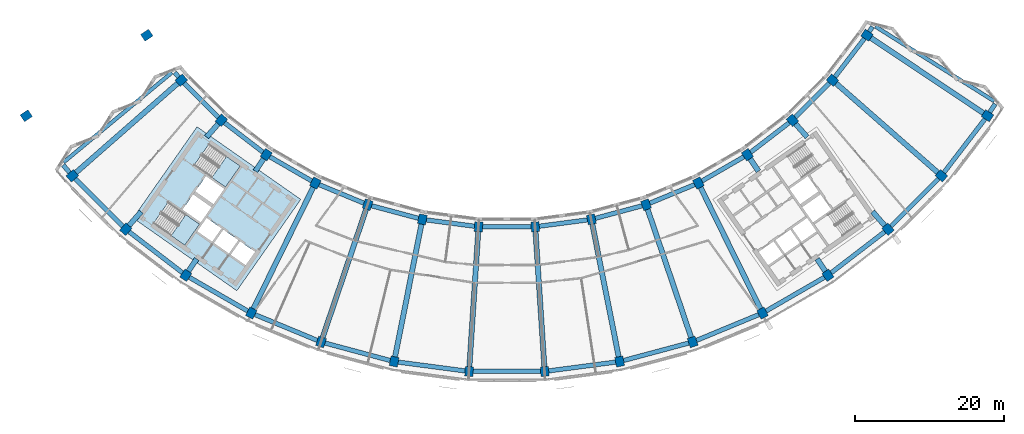
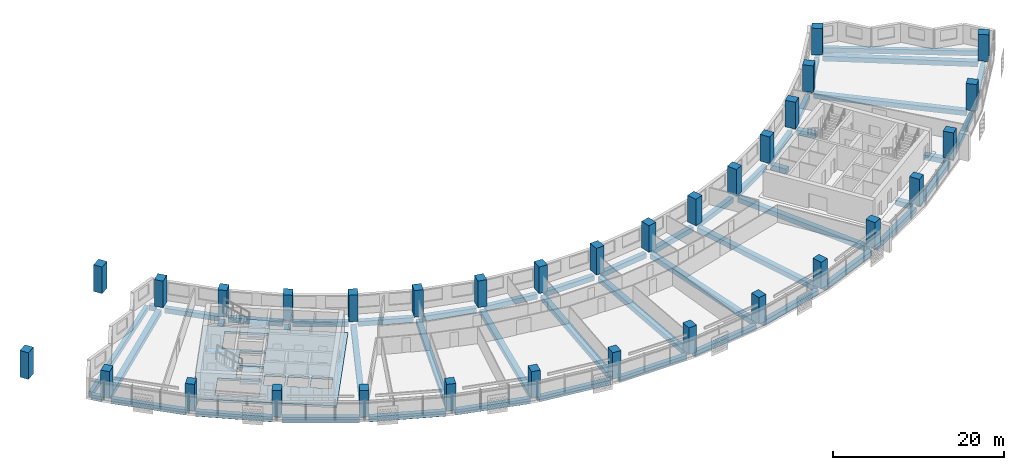
# One storey, part 1 of 26: 53 beams, 32 columns, 3 slabs, 2 elements without a shape of their own.
"""IFC4 building model written with IfcOpenShell, lengths in metres."""

import ifcopenshell
import ifcopenshell.guid

model = None  # the IFC model being written
_history = None  # IfcOwnerHistory: only IFC2X3 demands one
_inside = {}  # id of a spatial element -> (the spatial element, [elements in it])
_under = {}  # id of a project, library or spatial element -> (it, [spatial elements below it])
_declared = {}  # id of a project -> (the project, [libraries it declares])
_typed = {}  # id of a type object -> (the type object, [elements of that type])
_made_of = {}  # id of a material, layer set ... -> (it, [elements and type objects made of it])


def new_model(schema):
    """Start an empty IFC model of exactly this schema.

    Asked for "IFC4X3", IfcOpenShell would pick the latest addendum, in which some entities
    have other attributes; the version numbers below select the first issue.
    IFC2X3 requires an IfcOwnerHistory on every rooted entity: one is made here for all.
    """
    global model, _history
    if schema == "IFC4X3":
        model = ifcopenshell.file(schema_version=(4, 3, 0, 0))
    else:
        model = ifcopenshell.file(schema=schema)
    _inside.clear()
    _under.clear()
    _declared.clear()
    _typed.clear()
    _made_of.clear()
    _history = None
    if model.schema == "IFC2X3":
        org = make("IfcOrganization", Name="unknown")
        user = make(
            "IfcPersonAndOrganization",
            ThePerson=make("IfcPerson", FamilyName="unknown"),
            TheOrganization=org,
        )
        app = make(
            "IfcApplication",
            ApplicationDeveloper=org,
            Version="unknown",
            ApplicationFullName="unknown",
            ApplicationIdentifier="unknown",
        )
        _history = make(
            "IfcOwnerHistory",
            OwningUser=user,
            OwningApplication=app,
            ChangeAction="ADDED",
            CreationDate=0,
        )
    return model


def make(cls, **values):
    """One entity of the class cls with the attributes given. An attribute that is None is left unset."""
    return model.create_entity(
        cls, **{name: value for name, value in values.items() if value is not None}
    )


def rooted(cls, **values):
    """An entity with a GlobalId (a new one), such as an element, a storey or a relation."""
    return make(cls, GlobalId=ifcopenshell.guid.new(), OwnerHistory=_history, **values)


def si_unit(unit_type, name, prefix=None):
    """IfcSIUnit, for example si_unit("LENGTHUNIT", "METRE", prefix="MILLI")."""
    return make("IfcSIUnit", UnitType=unit_type, Prefix=prefix, Name=name)


def assignment(units):
    """IfcUnitAssignment: the units of a project."""
    return None if units is None else make("IfcUnitAssignment", Units=units)


def point(xyz):
    """IfcCartesianPoint."""
    return None if xyz is None else make("IfcCartesianPoint", Coordinates=xyz)


def direction(xyz):
    """IfcDirection."""
    return None if xyz is None else make("IfcDirection", DirectionRatios=xyz)


def frame(location, z_axis=None, x_axis=None):
    """IfcAxis2Placement3D, a coordinate frame: its origin and axes. An axis left out is left unset."""
    return make(
        "IfcAxis2Placement3D",
        Location=point(location),
        Axis=direction(z_axis),
        RefDirection=direction(x_axis),
    )


def frame_2d(location, x_axis=None):
    """IfcAxis2Placement2D, a coordinate frame in the plane: its origin and x axis."""
    return make(
        "IfcAxis2Placement2D", Location=point(location), RefDirection=direction(x_axis)
    )


def origin():
    """The frame at (0, 0, 0) with its axes left unset."""
    return frame((0.0, 0.0, 0.0))


def origin_2d():
    """The frame at (0, 0) in the plane with its x axis left unset."""
    return frame_2d((0.0, 0.0))


def place(relative_to, where):
    """IfcLocalPlacement: puts the frame where relative to a parent placement (None: the world)."""
    return make(
        "IfcLocalPlacement", PlacementRelTo=relative_to, RelativePlacement=where
    )


def context(
    kind, dimensions, precision=None, world=None, true_north=None, identifier=None
):
    """IfcGeometricRepresentationContext, for example the 3D "Model" context."""
    return make(
        "IfcGeometricRepresentationContext",
        ContextIdentifier=identifier,
        ContextType=kind,
        CoordinateSpaceDimension=dimensions,
        Precision=precision,
        WorldCoordinateSystem=world,
        TrueNorth=true_north,
    )


def subcontext(parent, identifier, kind, view, scale=None):
    """IfcGeometricRepresentationSubContext, for example "Body" below "Model"."""
    return make(
        "IfcGeometricRepresentationSubContext",
        ContextIdentifier=identifier,
        ContextType=kind,
        ParentContext=parent,
        TargetScale=scale,
        TargetView=view,
    )


def project(units=None, contexts=None):
    """IfcProject with its units and contexts."""
    return rooted(
        "IfcProject",
        Name="project",
        RepresentationContexts=contexts,
        UnitsInContext=assignment(units),
    )


def spatial(cls, under=None, at=None, **own):
    """A site, building, storey or space (cls), placed at a placement, below another one or the project."""
    s = rooted(cls, ObjectPlacement=at, **own)
    if under is not None:
        _under.setdefault(under.id(), (under, []))[1].append(s)
    return s


def polyline(points):
    """IfcPolyline through the points."""
    return make("IfcPolyline", Points=[point(p) for p in points])


def profile(cls, at=None, kind="AREA", **sizes):
    """A parametric profile (cls). Its sizes go by their IFC names, for example OverallWidth=200.0."""
    return make(cls, ProfileType=kind, Position=at, **sizes)


def rectangle(**sizes):
    """IfcRectangleProfileDef."""
    return profile("IfcRectangleProfileDef", **sizes)


def outline(outer, holes=None, kind="AREA"):
    """IfcArbitraryClosedProfileDef: a profile drawn as a closed curve; with holes, ...WithVoids."""
    if holes is None:
        return make("IfcArbitraryClosedProfileDef", ProfileType=kind, OuterCurve=outer)
    return make(
        "IfcArbitraryProfileDefWithVoids",
        ProfileType=kind,
        OuterCurve=outer,
        InnerCurves=holes,
    )


def extrude(swept, where, along, depth):
    """IfcExtrudedAreaSolid: the profile swept, set in the frame where, extruded along a direction by depth."""
    return make(
        "IfcExtrudedAreaSolid",
        SweptArea=swept,
        Position=where,
        ExtrudedDirection=direction(along),
        Depth=depth,
    )


def shape(context_of_items, identifier, shape_type, items):
    """IfcShapeRepresentation: the items that make up one representation, for example the "Body"."""
    return make(
        "IfcShapeRepresentation",
        ContextOfItems=context_of_items,
        RepresentationIdentifier=identifier,
        RepresentationType=shape_type,
        Items=items,
    )


def material(Name=None, Category=None):
    """IfcMaterial."""
    return make("IfcMaterial", Name=Name, Category=Category)


def layer(
    of_material, thickness, ventilated=None, Name=None, Category=None, Priority=None
):
    """IfcMaterialLayer: one layer of a wall or slab, of a material (None: an air gap)."""
    return make(
        "IfcMaterialLayer",
        Material=of_material,
        LayerThickness=thickness,
        IsVentilated=ventilated,
        Name=Name,
        Category=Category,
        Priority=Priority,
    )


def layer_set(layers, Name=None):
    """IfcMaterialLayerSet."""
    return make("IfcMaterialLayerSet", MaterialLayers=layers, LayerSetName=Name)


def material_profile(
    of_material, cross_section, Name=None, Category=None, Priority=None
):
    """IfcMaterialProfile: a cross section and its material."""
    return make(
        "IfcMaterialProfile",
        Name=Name,
        Material=of_material,
        Profile=cross_section,
        Priority=Priority,
        Category=Category,
    )


def profile_set(profiles, Name=None, composite=None):
    """IfcMaterialProfileSet."""
    return make(
        "IfcMaterialProfileSet",
        Name=Name,
        MaterialProfiles=profiles,
        CompositeProfile=composite,
    )


def made_of(thing, what):
    """Note that an element or type object is made of a material, layer set ...; save() writes the relation."""
    if what is not None:
        _made_of.setdefault(what.id(), (what, []))[1].append(thing)
    return thing


def type_object(cls, material=None, **own):
    """A type object (cls), such as IfcWallType, which elements share."""
    return made_of(rooted(cls, **own), material)


def element(
    cls,
    number,
    at=None,
    inside=None,
    cuts=None,
    type_object=None,
    material=None,
    context=None,
    identifier="Body",
    shape_type=None,
    held_by="IfcProductDefinitionShape",
    body=None,
    shapes=None,
    **own,
):
    """One element of the class cls, such as IfcWall. Its Tag is "e" and its number.

    at: its placement. inside: the storey or other place that contains it. cuts: it is an
    opening in that element (IfcRelVoidsElement). A single representation is given by context,
    identifier, shape_type and body (its items); several are given by shapes. held_by: the class
    of the entity that holds the representations. save() writes the other relations.
    """
    e = rooted(cls, Tag="e%d" % number, ObjectPlacement=at, **own)
    if body is not None:
        shapes = [shape(context, identifier, shape_type, body)]
    if shapes is not None:
        e.Representation = make(held_by, Representations=shapes)
    if inside is not None:
        _inside.setdefault(inside.id(), (inside, []))[1].append(e)
    if cuts is not None:
        rooted(
            "IfcRelVoidsElement", RelatingBuildingElement=cuts, RelatedOpeningElement=e
        )
    if type_object is not None:
        _typed.setdefault(type_object.id(), (type_object, []))[1].append(e)
    return made_of(e, material)


def aggregate(whole, parts):
    """IfcRelAggregates: a whole, such as a stair, and the parts it consists of."""
    return rooted("IfcRelAggregates", RelatingObject=whole, RelatedObjects=parts)


def save(model, path):
    """Write the relations noted so far, then the file.

    IfcRelAggregates (storeys below a building ...), IfcRelContainedInSpatialStructure (elements
    in a storey), IfcRelDefinesByType, IfcRelAssociatesMaterial and IfcRelDeclares: one each for
    every whole, place, type object, material and project.
    """
    for whole, parts in _under.values():
        aggregate(whole, parts)
    for where, things in _inside.values():
        rooted(
            "IfcRelContainedInSpatialStructure",
            RelatedElements=things,
            RelatingStructure=where,
        )
    for kind, things in _typed.values():
        rooted("IfcRelDefinesByType", RelatedObjects=things, RelatingType=kind)
    for what, things in _made_of.values():
        rooted("IfcRelAssociatesMaterial", RelatedObjects=things, RelatingMaterial=what)
    for by, libraries in _declared.values():
        rooted("IfcRelDeclares", RelatingContext=by, RelatedDefinitions=libraries)
    model.write(path)


model = new_model("IFC4")

# Units and contexts
model_context = context("Model", 3, precision=1e-05, world=origin(), true_north=direction((0.0, 1.0)))
body_context = subcontext(model_context, "Body", "Model", "MODEL_VIEW")
ifc_project = project(units=[si_unit("LENGTHUNIT", "METRE"), si_unit("AREAUNIT", "SQUARE_METRE"), si_unit("VOLUMEUNIT", "CUBIC_METRE"), si_unit("PLANEANGLEUNIT", "RADIAN"), si_unit("MASSUNIT", "GRAM", prefix="KILO")], contexts=[model_context])

# Site, building, storey
site_placement = place(None, origin())
site = spatial("IfcSite", under=ifc_project, at=site_placement, CompositionType="ELEMENT")
building_placement = place(site_placement, origin())
building = spatial("IfcBuilding", under=site, at=building_placement, Name="Qamariyya Broadcast Tower", CompositionType="ELEMENT")
storey_placement = place(building_placement, frame((0.0, 0.0, 160.699951171875)))
storey = spatial("IfcBuildingStorey", under=building, at=storey_placement, Name="L37", CompositionType="ELEMENT", Elevation=160.699951171875)

# Columns
ifc_material_1 = material(Name="Concrete C60/75", Category="concrete")
ifc_material_profile_1 = material_profile(ifc_material_1, rectangle(XDim=1.10009765625, YDim=1.300048828125, at=origin_2d()))
ifc_profile_set_1 = profile_set([ifc_material_profile_1], Name="Concrete C60/75")
column_type = type_object("IfcColumnType", Name="RC column 1100 x 1300 C60/75", PredefinedType="COLUMN", material=ifc_profile_set_1)
for number, where, z_axis, x_axis, name in (
    (1, (-43.794677734375, -38.406982421875, 0.0), (0.0, 0.0, 1.0), (0.6593458151, -0.751839807479, 0.0), "Column C8 L37 B-R04"),
    (2, (-58.45556640625, -51.26416015625, 0.0), (0.0, 0.0, 1.0), (0.6593458151, -0.751839807479, 0.0), "Column C8 L37 C-R04"),
    (3, (-38.406982421875, -43.794677734375, 0.0), (0.0, 0.0, 1.0), (0.751839807479, -0.6593458151, 0.0), "Column C8 L37 B-R05"),
    (4, (-51.26416015625, -58.45556640625, 0.0), (0.0, 0.0, 1.0), (0.751839807479, -0.6593458151, 0.0), "Column C8 L37 C-R05"),
    (5, (-32.362060546875, -48.43310546875, 0.0), (0.0, 0.0, 1.0), (0.831469612303, -0.55557023302, 0.0), "Column C8 L37 B-R06"),
    (6, (-43.195556640625, -64.646728515625, 0.0), (0.0, 0.0, 1.0), (0.831469612303, -0.55557023302, 0.0), "Column C8 L37 C-R06"),
    (7, (-25.763427734375, -52.242919921875, 0.0), (0.0, 0.0, 1.0), (0.896872741533, -0.442288690219, 0.0), "Column C8 L37 B-R07"),
    (8, (-34.387939453125, -69.73193359375, 0.0), (0.0, 0.0, 1.0), (0.896872741533, -0.442288690219, 0.0), "Column C8 L37 C-R07"),
    (9, (-18.723876953125, -55.15869140625, 0.0), (0.0, 0.0, 1.0), (0.946930129495, -0.321439465303, 0.0), "Column C8 L37 B-R08"),
    (10, (-24.991943359375, -73.623779296875, 0.0), (0.0, 0.0, 1.0), (0.946930129495, -0.321439465303, 0.0), "Column C8 L37 C-R08"),
    (11, (-11.364013671875, -57.130859375, 0.0), (0.0, 0.0, 1.0), (0.980785280403, -0.195090322016, 0.0), "Column C8 L37 B-R09"),
    (12, (-15.168212890625, -76.256103515625, 0.0), (0.0, 0.0, 1.0), (0.980785280403, -0.195090322016, 0.0), "Column C8 L37 C-R09"),
    (13, (-3.809814453125, -58.125244140625, 0.0), (0.0, 0.0, 1.0), (0.997858923239, -0.06540312923, 0.0), "Column C8 L37 B-R10"),
    (14, (-5.085205078125, -77.58349609375, 0.0), (0.0, 0.0, 1.0), (0.997858923239, -0.06540312923, 0.0), "Column C8 L37 C-R10"),
    (15, (3.809814453125, -58.125244140625, 0.0), (0.0, 0.0, 1.0), (0.997858923239, 0.06540312923, 0.0), "Column C8 L37 B-R11"),
    (16, (5.085205078125, -77.58349609375, 0.0), (0.0, 0.0, 1.0), (0.997858923239, 0.06540312923, 0.0), "Column C8 L37 C-R11"),
    (17, (11.364013671875, -57.130859375, 0.0), (0.0, 0.0, 1.0), (0.980785280403, 0.195090322016, 0.0), "Column C8 L37 B-R12"),
    (18, (15.168212890625, -76.256103515625, 0.0), (0.0, 0.0, 1.0), (0.980785280403, 0.195090322016, 0.0), "Column C8 L37 C-R12"),
    (19, (18.723876953125, -55.15869140625, 0.0), (0.0, 0.0, 1.0), (0.946930129495, 0.321439465303, 0.0), "Column C8 L37 B-R13"),
    (20, (24.991943359375, -73.623779296875, 0.0), (0.0, 0.0, 1.0), (0.946930129495, 0.321439465303, 0.0), "Column C8 L37 C-R13"),
    (21, (25.763427734375, -52.242919921875, 0.0), (0.0, 0.0, 1.0), (0.896872741533, 0.442288690219, 0.0), "Column C8 L37 B-R14"),
    (22, (34.387939453125, -69.73193359375, 0.0), (0.0, 0.0, 1.0), (0.896872741533, 0.442288690219, 0.0), "Column C8 L37 C-R14"),
    (23, (32.362060546875, -48.43310546875, 0.0), (0.0, 0.0, 1.0), (0.831469612303, 0.55557023302, 0.0), "Column C8 L37 B-R15"),
    (24, (43.195556640625, -64.646728515625, 0.0), (0.0, 0.0, 1.0), (0.831469612303, 0.55557023302, 0.0), "Column C8 L37 C-R15"),
    (25, (38.406982421875, -43.794677734375, 0.0), (0.0, 0.0, 1.0), (0.751839807479, 0.6593458151, 0.0), "Column C8 L37 B-R16"),
    (26, (51.26416015625, -58.45556640625, 0.0), (0.0, 0.0, 1.0), (0.751839807479, 0.6593458151, 0.0), "Column C8 L37 C-R16"),
    (27, (43.794677734375, -38.406982421875, 0.0), (0.0, 0.0, 1.0), (0.6593458151, 0.751839807479, 0.0), "Column C8 L37 B-R17"),
    (28, (58.45556640625, -51.26416015625, 0.0), (0.0, 0.0, 1.0), (0.6593458151, 0.751839807479, 0.0), "Column C8 L37 C-R17"),
    (29, (48.43310546875, -32.362060546875, 0.0), (0.0, 0.0, 1.0), (0.55557023302, 0.831469612303, 0.0), "Column C8 L37 B-R18"),
    (30, (64.646728515625, -43.195556640625, 0.0), (0.0, 0.0, 1.0), (0.55557023302, 0.831469612303, 0.0), "Column C8 L37 C-R18"),
    (31, (-48.43310546875, -32.362060546875, 0.0), (0.0, 0.0, 1.0), (0.55557023302, -0.831469612303, 0.0), "Column C8 L37 B-R03"),
    (32, (-64.646728515625, -43.195556640625, 0.0), (0.0, 0.0, 1.0), (0.55557023302, -0.831469612303, 0.0), "Column C8 L37 C-R03"),
):
    element("IfcColumn", number, at=place(storey_placement, frame(where, z_axis=z_axis, x_axis=x_axis)), inside=storey, type_object=column_type, Name=name, PredefinedType="COLUMN", context=body_context, shape_type="SweptSolid", body=[
        extrude(rectangle(XDim=1.10009765625, YDim=1.300048828125, at=origin_2d()), origin(), (0.0, 0.0, 1.0), 3.800048828125),
    ])

# Beams
ifc_material_2 = material(Name="Concrete C40/50", Category="concrete")
ifc_material_profile_2 = material_profile(ifc_material_2, rectangle(XDim=0.60009765625, YDim=0.699951171875, at=origin_2d()))
ifc_profile_set_2 = profile_set([ifc_material_profile_2], Name="Concrete C40/50")
beam_type_1 = type_object("IfcBeamType", Name="RC edge beam 600 x 700 C40/50", PredefinedType="SPANDREL", material=ifc_profile_set_2)
for number, where, z_axis, x_axis, name in (
    (33, (-43.405029296875, -38.796630859375, -0.64990234375), (0.707106781187, -0.707106781187, 0.0), (0.707106781187, 0.707106781187, 0.0), "Edge beam B20 L37 B R04-R05"),
    (34, (-37.9697265625, -44.130126953125, -0.64990234375), (0.793343406719, -0.608774374473, 0.0), (0.608774374473, 0.793343406719, 0.0), "Edge beam B20 L37 B R05-R06"),
):
    element("IfcBeam", number, at=place(storey_placement, frame(where, z_axis=z_axis, x_axis=x_axis)), inside=storey, type_object=beam_type_1, Name=name, PredefinedType="SPANDREL", context=body_context, shape_type="SweptSolid", body=[
        extrude(rectangle(XDim=0.60009765625, YDim=0.699951171875, at=origin_2d()), origin(), (0.0, 0.0, 1.0), 6.517333984375),
    ])
beam_1_placement = place(storey_placement, frame((-31.884521484375, -48.708740234375, -0.64990234375), z_axis=(0.866019015165, -0.500011065251, 0.0), x_axis=(0.500011065251, 0.866019015165, 0.0)))
element("IfcBeam", 35, at=beam_1_placement, inside=storey, type_object=beam_type_1, Name="Edge beam B20 L37 B R06-R07", PredefinedType="SPANDREL", context=body_context, shape_type="SweptSolid", body=[
    extrude(rectangle(XDim=0.60009765625, YDim=0.699951171875, at=origin_2d()), origin(), (0.0, 0.0, 1.0), 6.516845703125),
])
for number, where, z_axis, x_axis, name in (
    (36, (-25.254150390625, -52.453857421875, -0.64990234375), (0.923883967792, -0.382672724475, 0.0), (0.382672724475, 0.923883967792, 0.0), "Edge beam B20 L37 B R07-R08"),
    (37, (-18.19140625, -55.30126953125, -0.64990234375), (0.965923971679, -0.258825966504, 0.0), (0.258825966504, 0.965923971679, 0.0), "Edge beam B20 L37 B R08-R09"),
    (38, (-10.817626953125, -57.20263671875, -0.64990234375), (0.991446388377, -0.130514592953, 0.0), (0.130514592953, 0.991446388377, 0.0), "Edge beam B20 L37 B R09-R10"),
    (39, (-3.258544921875, -58.125244140625, -0.64990234375), (1.0, 0.0, 0.0), (0.0, 1.0, 0.0), "Edge beam B20 L37 B R10-R11"),
    (40, (4.356201171875, -58.05322265625, -0.64990234375), (0.991446388377, 0.130514592953, 0.0), (-0.130514592953, 0.991446388377, 0.0), "Edge beam B20 L37 B R11-R12"),
    (41, (11.896484375, -56.988037109375, -0.64990234375), (0.965923971679, 0.258825966504, 0.0), (-0.258825966504, 0.965923971679, 0.0), "Edge beam B20 L37 B R12-R13"),
    (42, (19.233154296875, -54.94775390625, -0.64990234375), (0.923883967792, 0.382672724475, 0.0), (-0.382672724475, 0.923883967792, 0.0), "Edge beam B20 L37 B R13-R14"),
):
    element("IfcBeam", number, at=place(storey_placement, frame(where, z_axis=z_axis, x_axis=x_axis)), inside=storey, type_object=beam_type_1, Name=name, PredefinedType="SPANDREL", context=body_context, shape_type="SweptSolid", body=[
        extrude(rectangle(XDim=0.60009765625, YDim=0.699951171875, at=origin_2d()), origin(), (0.0, 0.0, 1.0), 6.51708984375),
    ])
beam_2_placement = place(storey_placement, frame((26.24072265625, -51.96728515625, -0.64990234375), z_axis=(0.866019015165, 0.500011065251, 0.0), x_axis=(-0.500011065251, 0.866019015165, 0.0)))
element("IfcBeam", 43, at=beam_2_placement, inside=storey, type_object=beam_type_1, Name="Edge beam B20 L37 B R14-R15", PredefinedType="SPANDREL", context=body_context, shape_type="SweptSolid", body=[
    extrude(rectangle(XDim=0.60009765625, YDim=0.699951171875, at=origin_2d()), origin(), (0.0, 0.0, 1.0), 6.516845703125),
])
for number, where, z_axis, x_axis, name in (
    (44, (32.79931640625, -48.09765625, -0.64990234375), (0.793343406719, 0.608774374473, 0.0), (-0.608774374473, 0.793343406719, 0.0), "Edge beam B20 L37 B R15-R16"),
    (45, (38.796630859375, -43.405029296875, -0.64990234375), (0.707106781187, 0.707106781187, 0.0), (-0.707106781187, 0.707106781187, 0.0), "Edge beam B20 L37 B R16-R17"),
    (46, (44.130126953125, -37.9697265625, -0.64990234375), (0.608774374473, 0.793343406719, 0.0), (-0.793343406719, 0.608774374473, 0.0), "Edge beam B20 L37 B R17-R18"),
):
    element("IfcBeam", number, at=place(storey_placement, frame(where, z_axis=z_axis, x_axis=x_axis)), inside=storey, type_object=beam_type_1, Name=name, PredefinedType="SPANDREL", context=body_context, shape_type="SweptSolid", body=[
        extrude(rectangle(XDim=0.60009765625, YDim=0.699951171875, at=origin_2d()), origin(), (0.0, 0.0, 1.0), 6.517333984375),
    ])
beam_3_placement = place(storey_placement, frame((-58.06591796875, -51.65380859375, -0.64990234375), z_axis=(0.707106781187, -0.707106781187, 0.0), x_axis=(0.707106781187, 0.707106781187, 0.0)))
element("IfcBeam", 47, at=beam_3_placement, inside=storey, type_object=beam_type_1, Name="Edge beam B20 L37 C R04-R05", PredefinedType="SPANDREL", context=body_context, shape_type="SweptSolid", body=[
    extrude(rectangle(XDim=0.60009765625, YDim=0.699951171875, at=origin_2d()), origin(), (0.0, 0.0, 1.0), 9.068115234375),
])
for number, where, z_axis, x_axis, name in (
    (48, (-50.826904296875, -58.791015625, -0.64990234375), (0.793351056372, -0.608764405458, 0.0), (0.608764405458, 0.793351056372, 0.0), "Edge beam B20 L37 C R05-R06"),
    (49, (-42.71826171875, -64.92236328125, -0.64990234375), (0.866025972227, -0.499999015427, 0.0), (0.499999015427, 0.866025972227, 0.0), "Edge beam B20 L37 C R06-R07"),
):
    element("IfcBeam", number, at=place(storey_placement, frame(where, z_axis=z_axis, x_axis=x_axis)), inside=storey, type_object=beam_type_1, Name=name, PredefinedType="SPANDREL", context=body_context, shape_type="SweptSolid", body=[
        extrude(rectangle(XDim=0.60009765625, YDim=0.699951171875, at=origin_2d()), origin(), (0.0, 0.0, 1.0), 9.06787109375),
    ])
beam_4_placement = place(storey_placement, frame((-33.878662109375, -69.94287109375, -0.64990234375), z_axis=(0.923882618409, -0.382675982265, 0.0), x_axis=(0.382675982265, 0.923882618409, 0.0)))
element("IfcBeam", 50, at=beam_4_placement, inside=storey, type_object=beam_type_1, Name="Edge beam B20 L37 C R07-R08", PredefinedType="SPANDREL", context=body_context, shape_type="SweptSolid", body=[
    extrude(rectangle(XDim=0.60009765625, YDim=0.699951171875, at=origin_2d()), origin(), (0.0, 0.0, 1.0), 9.067626953125),
])
for number, where, z_axis, x_axis, name in (
    (51, (-24.45947265625, -73.766357421875, -0.64990234375), (0.965925457615, -0.258820421007, 0.0), (0.258820421007, 0.965925457615, 0.0), "Edge beam B20 L37 C R08-R09"),
    (52, (-14.621826171875, -76.327880859375, -0.64990234375), (0.991444762322, -0.130526944594, 0.0), (0.130526944594, 0.991444762322, 0.0), "Edge beam B20 L37 C R09-R10"),
    (53, (-4.533935546875, -77.58349609375, -0.64990234375), (1.0, 0.0, 0.0), (0.0, 1.0, 0.0), "Edge beam B20 L37 C R10-R11"),
    (54, (5.631591796875, -77.511474609375, -0.64990234375), (0.991444762322, 0.130526944594, 0.0), (-0.130526944594, 0.991444762322, 0.0), "Edge beam B20 L37 C R11-R12"),
    (55, (15.70068359375, -76.11328125, -0.64990234375), (0.965925457615, 0.258820421007, 0.0), (-0.258820421007, 0.965925457615, 0.0), "Edge beam B20 L37 C R12-R13"),
):
    element("IfcBeam", number, at=place(storey_placement, frame(where, z_axis=z_axis, x_axis=x_axis)), inside=storey, type_object=beam_type_1, Name=name, PredefinedType="SPANDREL", context=body_context, shape_type="SweptSolid", body=[
        extrude(rectangle(XDim=0.60009765625, YDim=0.699951171875, at=origin_2d()), origin(), (0.0, 0.0, 1.0), 9.06787109375),
    ])
beam_5_placement = place(storey_placement, frame((25.501220703125, -73.412841796875, -0.64990234375), z_axis=(0.923882618409, 0.382675982265, 0.0), x_axis=(-0.382675982265, 0.923882618409, 0.0)))
element("IfcBeam", 56, at=beam_5_placement, inside=storey, type_object=beam_type_1, Name="Edge beam B20 L37 C R13-R14", PredefinedType="SPANDREL", context=body_context, shape_type="SweptSolid", body=[
    extrude(rectangle(XDim=0.60009765625, YDim=0.699951171875, at=origin_2d()), origin(), (0.0, 0.0, 1.0), 9.067626953125),
])
for number, where, z_axis, x_axis, name in (
    (57, (34.865234375, -69.456298828125, -0.64990234375), (0.866025972227, 0.499999015427, 0.0), (-0.499999015427, 0.866025972227, 0.0), "Edge beam B20 L37 C R14-R15"),
    (58, (43.6328125, -64.311279296875, -0.64990234375), (0.793351056372, 0.608764405458, 0.0), (-0.608764405458, 0.793351056372, 0.0), "Edge beam B20 L37 C R15-R16"),
):
    element("IfcBeam", number, at=place(storey_placement, frame(where, z_axis=z_axis, x_axis=x_axis)), inside=storey, type_object=beam_type_1, Name=name, PredefinedType="SPANDREL", context=body_context, shape_type="SweptSolid", body=[
        extrude(rectangle(XDim=0.60009765625, YDim=0.699951171875, at=origin_2d()), origin(), (0.0, 0.0, 1.0), 9.06787109375),
    ])
beam_6_placement = place(storey_placement, frame((51.65380859375, -58.06591796875, -0.64990234375), z_axis=(0.707106781187, 0.707106781187, 0.0), x_axis=(-0.707106781187, 0.707106781187, 0.0)))
element("IfcBeam", 59, at=beam_6_placement, inside=storey, type_object=beam_type_1, Name="Edge beam B20 L37 C R16-R17", PredefinedType="SPANDREL", context=body_context, shape_type="SweptSolid", body=[
    extrude(rectangle(XDim=0.60009765625, YDim=0.699951171875, at=origin_2d()), origin(), (0.0, 0.0, 1.0), 9.068115234375),
])
beam_7_placement = place(storey_placement, frame((58.791015625, -50.826904296875, -0.64990234375), z_axis=(0.608764405458, 0.793351056372, 0.0), x_axis=(-0.793351056372, 0.608764405458, 0.0)))
element("IfcBeam", 60, at=beam_7_placement, inside=storey, type_object=beam_type_1, Name="Edge beam B20 L37 C R17-R18", PredefinedType="SPANDREL", context=body_context, shape_type="SweptSolid", body=[
    extrude(rectangle(XDim=0.60009765625, YDim=0.699951171875, at=origin_2d()), origin(), (0.0, 0.0, 1.0), 9.06787109375),
])
ifc_material_profile_3 = material_profile(ifc_material_2, rectangle(XDim=0.60009765625, YDim=0.699951171875, at=origin_2d()))
ifc_profile_set_3 = profile_set([ifc_material_profile_3], Name="Concrete C40/50")
beam_type_2 = type_object("IfcBeamType", Name="RC horn beam 600 x 700 C40/50", PredefinedType="BEAM", material=ifc_profile_set_3)
beam_8_placement = place(storey_placement, frame((-44.151611328125, -37.98828125, -0.64990234375), z_axis=(-0.649116931552, 0.760688641412, 0.0), x_axis=(-0.760688641412, -0.649116931552, 0.0)))
element("IfcBeam", 61, at=beam_8_placement, inside=storey, type_object=beam_type_2, Name="Horn beam B19 L37 W B-R04", PredefinedType="BEAM", context=body_context, shape_type="SweptSolid", body=[
    extrude(rectangle(XDim=0.60009765625, YDim=0.699951171875, at=origin_2d()), origin(), (0.0, 0.0, 1.0), 0.80517578125),
])
beam_9_placement = place(storey_placement, frame((-58.8125, -50.845703125, -0.64990234375), z_axis=(-0.648887790578, 0.760884114198, 0.0), x_axis=(-0.760884114198, -0.648887790578, 0.0)))
element("IfcBeam", 62, at=beam_9_placement, inside=storey, type_object=beam_type_2, Name="Horn beam B19 L37 W C-R04", PredefinedType="BEAM", context=body_context, shape_type="SweptSolid", body=[
    extrude(rectangle(XDim=0.60009765625, YDim=0.699951171875, at=origin_2d()), origin(), (0.0, 0.0, 1.0), 1.3427734375),
])
beam_10_placement = place(storey_placement, frame((48.732421875, -31.900390625, -0.64990234375), z_axis=(0.543879640621, 0.839163235919, 0.0), x_axis=(-0.839163235919, 0.543879640621, 0.0)))
element("IfcBeam", 63, at=beam_10_placement, inside=storey, type_object=beam_type_2, Name="Horn beam B19 L37 E B-R18", PredefinedType="BEAM", context=body_context, shape_type="SweptSolid", body=[
    extrude(rectangle(XDim=0.60009765625, YDim=0.699951171875, at=origin_2d()), origin(), (0.0, 0.0, 1.0), 0.805419921875),
])
beam_11_placement = place(storey_placement, frame((64.946044921875, -42.734130859375, -0.64990234375), z_axis=(0.543997401407, 0.8390869009, 0.0), x_axis=(-0.8390869009, 0.543997401407, 0.0)))
element("IfcBeam", 64, at=beam_11_placement, inside=storey, type_object=beam_type_2, Name="Horn beam B19 L37 E C-R18", PredefinedType="BEAM", context=body_context, shape_type="SweptSolid", body=[
    extrude(rectangle(XDim=0.60009765625, YDim=0.699951171875, at=origin_2d()), origin(), (0.0, 0.0, 1.0), 1.3427734375),
])
ifc_material_profile_4 = material_profile(ifc_material_2, rectangle(XDim=0.5, YDim=0.699951171875, at=origin_2d()))
ifc_profile_set_4 = profile_set([ifc_material_profile_4], Name="Concrete C40/50")
beam_type_3 = type_object("IfcBeamType", Name="RC horn cap beam 500 x 700 C40/50", PredefinedType="BEAM", material=ifc_profile_set_4)
beam_12_placement = place(storey_placement, frame((-45.0673828125, -37.376953125, -0.64990234375), z_axis=(-0.769729010157, -0.638370778562, 0.0), x_axis=(0.638370778562, -0.769729010157, 0.0)))
element("IfcBeam", 65, at=beam_12_placement, inside=storey, type_object=beam_type_3, Name="Horn cap beam B21 L37 W B-C", PredefinedType="BEAM", context=body_context, shape_type="SweptSolid", body=[
    extrude(rectangle(XDim=0.5, YDim=0.699951171875, at=origin_2d()), origin(), (0.0, 0.0, 1.0), 18.89990234375),
])
beam_13_placement = place(storey_placement, frame((49.560546875, -31.1748046875, -0.64990234375), z_axis=(0.846467889406, -0.532439773311, 0.0), x_axis=(0.532439773311, 0.846467889406, 0.0)))
element("IfcBeam", 66, at=beam_13_placement, inside=storey, type_object=beam_type_3, Name="Horn cap beam B21 L37 E B-C", PredefinedType="BEAM", context=body_context, shape_type="SweptSolid", body=[
    extrude(rectangle(XDim=0.5, YDim=0.699951171875, at=origin_2d()), origin(), (0.0, 0.0, 1.0), 18.899658203125),
])
ifc_material_profile_5 = material_profile(ifc_material_2, rectangle(XDim=0.699951171875, YDim=0.699951171875, at=origin_2d()))
ifc_profile_set_5 = profile_set([ifc_material_profile_5], Name="Concrete C40/50")
beam_type_4 = type_object("IfcBeamType", Name="RC radial beam 700 x 700 C40/50", PredefinedType="BEAM", material=ifc_profile_set_5)
beam_14_placement = place(storey_placement, frame((-44.283447265625, -38.83544921875, -0.64990234375), z_axis=(-0.751839141307, -0.659346574723, 0.0), x_axis=(0.659346574723, -0.751839141307, 0.0)))
element("IfcBeam", 67, at=beam_14_placement, inside=storey, type_object=beam_type_4, Name="Radial beam B18 L37 R04 B-C", PredefinedType="BEAM", context=body_context, shape_type="SweptSolid", body=[
    extrude(rectangle(XDim=0.699951171875, YDim=0.699951171875, at=origin_2d()), origin(), (0.0, 0.0, 1.0), 18.199951171875),
])
beam_15_placement = place(storey_placement, frame((-38.83544921875, -44.283447265625, -0.64990234375), z_axis=(-0.659381501846, -0.751808509544, 0.0), x_axis=(0.751808509544, -0.659381501846, 0.0)))
element("IfcBeam", 68, at=beam_15_placement, inside=storey, type_object=beam_type_4, Name="Radial beam B18 L37 R05 B-C", PredefinedType="BEAM", context=body_context, shape_type="SweptSolid", body=[
    extrude(rectangle(XDim=0.699951171875, YDim=0.699951171875, at=origin_2d()), origin(), (0.0, 0.0, 1.0), 2.364013671875),
])
beam_16_placement = place(storey_placement, frame((-49.1943359375, -56.095458984375, -0.64990234375), z_axis=(-0.659344451764, -0.75184100309, 0.0), x_axis=(0.75184100309, -0.659344451764, 0.0)))
element("IfcBeam", 69, at=beam_16_placement, inside=storey, type_object=beam_type_4, Name="Radial beam B18 L37 R05 B-C", PredefinedType="BEAM", context=body_context, shape_type="SweptSolid", body=[
    extrude(rectangle(XDim=0.699951171875, YDim=0.699951171875, at=origin_2d()), origin(), (0.0, 0.0, 1.0), 2.489013671875),
])
beam_17_placement = place(storey_placement, frame((-32.72314453125, -48.9736328125, -0.64990234375), z_axis=(-0.555594913414, -0.83145312086, 0.0), x_axis=(0.83145312086, -0.555594913414, 0.0)))
element("IfcBeam", 70, at=beam_17_placement, inside=storey, type_object=beam_type_4, Name="Radial beam B18 L37 R06 B-C", PredefinedType="BEAM", context=body_context, shape_type="SweptSolid", body=[
    extrude(rectangle(XDim=0.699951171875, YDim=0.699951171875, at=origin_2d()), origin(), (0.0, 0.0, 1.0), 2.014404296875),
])
beam_18_placement = place(storey_placement, frame((-41.733154296875, -62.458251953125, -0.64990234375), z_axis=(-0.555637861027, -0.831424420734, 0.0), x_axis=(0.831424420734, -0.555637861027, 0.0)))
element("IfcBeam", 71, at=beam_18_placement, inside=storey, type_object=beam_type_4, Name="Radial beam B18 L37 R06 B-C", PredefinedType="BEAM", context=body_context, shape_type="SweptSolid", body=[
    extrude(rectangle(XDim=0.699951171875, YDim=0.699951171875, at=origin_2d()), origin(), (0.0, 0.0, 1.0), 1.982177734375),
])
beam_19_placement = place(storey_placement, frame((-26.05078125, -52.82568359375, -0.64990234375), z_axis=(-0.44228110273, -0.896876483228, 0.0), x_axis=(0.896876483228, -0.44228110273, 0.0)))
element("IfcBeam", 72, at=beam_19_placement, inside=storey, type_object=beam_type_4, Name="Radial beam B18 L37 R07 B-C", PredefinedType="BEAM", context=body_context, shape_type="SweptSolid", body=[
    extrude(rectangle(XDim=0.699951171875, YDim=0.699951171875, at=origin_2d()), origin(), (0.0, 0.0, 1.0), 18.2001953125),
])
beam_20_placement = place(storey_placement, frame((-18.932861328125, -55.774169921875, -0.64990234375), z_axis=(-0.321434466477, -0.946931826353, 0.0), x_axis=(0.946931826353, -0.321434466477, 0.0)))
element("IfcBeam", 73, at=beam_20_placement, inside=storey, type_object=beam_type_4, Name="Radial beam B18 L37 R08 B-C", PredefinedType="BEAM", context=body_context, shape_type="SweptSolid", body=[
    extrude(rectangle(XDim=0.699951171875, YDim=0.699951171875, at=origin_2d()), origin(), (0.0, 0.0, 1.0), 18.199951171875),
])
beam_21_placement = place(storey_placement, frame((-11.49072265625, -57.768310546875, -0.64990234375), z_axis=(-0.195097061093, -0.980783939893, 0.0), x_axis=(0.980783939893, -0.195097061093, 0.0)))
element("IfcBeam", 74, at=beam_21_placement, inside=storey, type_object=beam_type_4, Name="Radial beam B18 L37 R09 B-C", PredefinedType="BEAM", context=body_context, shape_type="SweptSolid", body=[
    extrude(rectangle(XDim=0.699951171875, YDim=0.699951171875, at=origin_2d()), origin(), (0.0, 0.0, 1.0), 18.2001953125),
])
for number, where, z_axis, x_axis, name in (
    (75, (-3.852294921875, -58.77392578125, -0.64990234375), (-0.065395361188, -0.997859432353, 0.0), (0.997859432353, -0.065395361188, 0.0), "Radial beam B18 L37 R10 B-C"),
    (76, (3.852294921875, -58.77392578125, -0.64990234375), (0.065395361188, -0.997859432353, 0.0), (0.997859432353, 0.065395361188, 0.0), "Radial beam B18 L37 R11 B-C"),
):
    element("IfcBeam", number, at=place(storey_placement, frame(where, z_axis=z_axis, x_axis=x_axis)), inside=storey, type_object=beam_type_4, Name=name, PredefinedType="BEAM", context=body_context, shape_type="SweptSolid", body=[
        extrude(rectangle(XDim=0.699951171875, YDim=0.699951171875, at=origin_2d()), origin(), (0.0, 0.0, 1.0), 18.199951171875),
    ])
beam_22_placement = place(storey_placement, frame((11.49072265625, -57.768310546875, -0.64990234375), z_axis=(0.195097061093, -0.980783939893, 0.0), x_axis=(0.980783939893, 0.195097061093, 0.0)))
element("IfcBeam", 77, at=beam_22_placement, inside=storey, type_object=beam_type_4, Name="Radial beam B18 L37 R12 B-C", PredefinedType="BEAM", context=body_context, shape_type="SweptSolid", body=[
    extrude(rectangle(XDim=0.699951171875, YDim=0.699951171875, at=origin_2d()), origin(), (0.0, 0.0, 1.0), 18.2001953125),
])
beam_23_placement = place(storey_placement, frame((18.932861328125, -55.774169921875, -0.64990234375), z_axis=(0.321434466477, -0.946931826353, 0.0), x_axis=(0.946931826353, 0.321434466477, 0.0)))
element("IfcBeam", 78, at=beam_23_placement, inside=storey, type_object=beam_type_4, Name="Radial beam B18 L37 R13 B-C", PredefinedType="BEAM", context=body_context, shape_type="SweptSolid", body=[
    extrude(rectangle(XDim=0.699951171875, YDim=0.699951171875, at=origin_2d()), origin(), (0.0, 0.0, 1.0), 18.199951171875),
])
beam_24_placement = place(storey_placement, frame((26.05078125, -52.82568359375, -0.64990234375), z_axis=(0.44228110273, -0.896876483228, 0.0), x_axis=(0.896876483228, 0.44228110273, 0.0)))
element("IfcBeam", 79, at=beam_24_placement, inside=storey, type_object=beam_type_4, Name="Radial beam B18 L37 R14 B-C", PredefinedType="BEAM", context=body_context, shape_type="SweptSolid", body=[
    extrude(rectangle(XDim=0.699951171875, YDim=0.699951171875, at=origin_2d()), origin(), (0.0, 0.0, 1.0), 18.2001953125),
])
beam_25_placement = place(storey_placement, frame((32.72314453125, -48.9736328125, -0.64990234375), z_axis=(0.555594913414, -0.83145312086, 0.0), x_axis=(0.83145312086, 0.555594913414, 0.0)))
element("IfcBeam", 80, at=beam_25_placement, inside=storey, type_object=beam_type_4, Name="Radial beam B18 L37 R15 B-C", PredefinedType="BEAM", context=body_context, shape_type="SweptSolid", body=[
    extrude(rectangle(XDim=0.699951171875, YDim=0.699951171875, at=origin_2d()), origin(), (0.0, 0.0, 1.0), 2.014404296875),
])
beam_26_placement = place(storey_placement, frame((41.733154296875, -62.458251953125, -0.64990234375), z_axis=(0.555637861027, -0.831424420734, 0.0), x_axis=(0.831424420734, 0.555637861027, 0.0)))
element("IfcBeam", 81, at=beam_26_placement, inside=storey, type_object=beam_type_4, Name="Radial beam B18 L37 R15 B-C", PredefinedType="BEAM", context=body_context, shape_type="SweptSolid", body=[
    extrude(rectangle(XDim=0.699951171875, YDim=0.699951171875, at=origin_2d()), origin(), (0.0, 0.0, 1.0), 1.982177734375),
])
beam_27_placement = place(storey_placement, frame((38.83544921875, -44.283447265625, -0.64990234375), z_axis=(0.659381501846, -0.751808509544, 0.0), x_axis=(0.751808509544, 0.659381501846, 0.0)))
element("IfcBeam", 82, at=beam_27_placement, inside=storey, type_object=beam_type_4, Name="Radial beam B18 L37 R16 B-C", PredefinedType="BEAM", context=body_context, shape_type="SweptSolid", body=[
    extrude(rectangle(XDim=0.699951171875, YDim=0.699951171875, at=origin_2d()), origin(), (0.0, 0.0, 1.0), 2.364013671875),
])
beam_28_placement = place(storey_placement, frame((49.1943359375, -56.095458984375, -0.64990234375), z_axis=(0.659344451764, -0.75184100309, 0.0), x_axis=(0.75184100309, 0.659344451764, 0.0)))
element("IfcBeam", 83, at=beam_28_placement, inside=storey, type_object=beam_type_4, Name="Radial beam B18 L37 R16 B-C", PredefinedType="BEAM", context=body_context, shape_type="SweptSolid", body=[
    extrude(rectangle(XDim=0.699951171875, YDim=0.699951171875, at=origin_2d()), origin(), (0.0, 0.0, 1.0), 2.489013671875),
])
beam_29_placement = place(storey_placement, frame((44.283447265625, -38.83544921875, -0.64990234375), z_axis=(0.751839141307, -0.659346574723, 0.0), x_axis=(0.659346574723, 0.751839141307, 0.0)))
element("IfcBeam", 84, at=beam_29_placement, inside=storey, type_object=beam_type_4, Name="Radial beam B18 L37 R17 B-C", PredefinedType="BEAM", context=body_context, shape_type="SweptSolid", body=[
    extrude(rectangle(XDim=0.699951171875, YDim=0.699951171875, at=origin_2d()), origin(), (0.0, 0.0, 1.0), 18.199951171875),
])
beam_30_placement = place(storey_placement, frame((48.9736328125, -32.72314453125, -0.64990234375), z_axis=(0.831467855631, -0.555572862056, 0.0), x_axis=(0.555572862056, 0.831467855631, 0.0)))
element("IfcBeam", 85, at=beam_30_placement, inside=storey, type_object=beam_type_4, Name="Radial beam B18 L37 R18 B-C", PredefinedType="BEAM", context=body_context, shape_type="SweptSolid", body=[
    extrude(rectangle(XDim=0.699951171875, YDim=0.699951171875, at=origin_2d()), origin(), (0.0, 0.0, 1.0), 18.19970703125),
])

# Slab
ifc_layer_1 = layer(ifc_material_2, 0.300048828125)
ifc_layer_set_1 = layer_set([ifc_layer_1], Name="Core floor slab 300 mm Concrete C40/50")
slab_type_1 = type_object("IfcSlabType", Name="Core floor slab 300 mm Concrete C40/50", PredefinedType="FLOOR", material=ifc_layer_set_1)
slab_1_placement = place(storey_placement, frame((0.0, 0.0, -0.300048828125)))
element("IfcSlab", 86, at=slab_1_placement, inside=storey, type_object=slab_type_1, Name="k-W-L37-slab", PredefinedType="FLOOR", context=body_context, shape_type="SweptSolid", body=[
    extrude(outline(polyline([(-50.286376953125, -56.95751953125), (-36.32373046875, -66.734375), (-27.719970703125, -54.447021484375), (-41.6826171875, -44.67041015625), (-50.286376953125, -56.95751953125)]), holes=[polyline([(-33.87353515625, -61.49169921875), (-35.88037109375, -60.08642578125), (-37.142333984375, -61.888427734375), (-35.13525390625, -63.293701171875), (-33.87353515625, -61.49169921875)]), polyline([(-36.126220703125, -59.914306640625), (-38.133056640625, -58.509033203125), (-39.394775390625, -60.311279296875), (-37.387939453125, -61.716552734375), (-36.126220703125, -59.914306640625)]), polyline([(-38.378662109375, -58.3369140625), (-40.3857421875, -56.931640625), (-41.6474609375, -58.73388671875), (-39.640625, -60.13916015625), (-38.378662109375, -58.3369140625)]), polyline([(-39.742431640625, -55.489990234375), (-42.199951171875, -53.769287109375), (-43.6337890625, -55.817138671875), (-41.17626953125, -57.537841796875), (-39.742431640625, -55.489990234375)]), polyline([(-39.45556640625, -55.080322265625), (-41.9130859375, -53.359619140625), (-40.47900390625, -51.311767578125), (-38.021728515625, -53.032470703125), (-39.45556640625, -55.080322265625)]), polyline([(-42.06103515625, -49.837890625), (-37.849609375, -52.78662109375), (-35.870849609375, -49.960693359375), (-40.082275390625, -47.01171875), (-42.06103515625, -49.837890625)]), polyline([(-47.538818359375, -57.66064453125), (-43.3271484375, -60.609619140625), (-41.348388671875, -57.783447265625), (-45.559814453125, -54.834716796875), (-47.538818359375, -57.66064453125)])]), origin(), (0.0, 0.0, 1.0), 0.300048828125),
])

# Stair, slab
ifc_material_3 = material(Name="Concrete C50/60", Category="concrete")
stair_type = type_object("IfcStairType", Name="Exit stair 22 risers of 173 mm", PredefinedType="HALF_TURN_STAIR", material=ifc_material_3)
stair_1_placement = place(storey_placement, origin())
stair_1 = element("IfcStair", 87, at=stair_1_placement, inside=storey, type_object=stair_type, Name="L37 Stair W2", PredefinedType="HALF_TURN_STAIR")
ifc_layer_2 = layer(ifc_material_3, 0.199951171875)
ifc_layer_set_2 = layer_set([ifc_layer_2], Name="Stair landing")
slab_type_2 = type_object("IfcSlabType", Name="Stair landing", PredefinedType="LANDING", material=ifc_layer_set_2)
slab_2_placement = place(storey_placement, frame((0.0, 0.0, 1.699951171875)))
slab_2 = element("IfcSlab", 88, at=slab_2_placement, type_object=slab_type_2, Name="ST-W2 landing 1", PredefinedType="LANDING", context=body_context, shape_type="SweptSolid", body=[
    extrude(outline(polyline([(-39.692138671875, -51.49658203125), (-37.849609375, -52.78662109375), (-35.870849609375, -49.960693359375), (-37.71337890625, -48.67041015625), (-39.692138671875, -51.49658203125)])), origin(), (0.0, 0.0, 1.0), 0.2001953125),
])
aggregate(stair_1, [slab_2])

stair_2_placement = place(storey_placement, origin())
stair_2 = element("IfcStair", 89, at=stair_2_placement, inside=storey, type_object=stair_type, Name="L37 Stair W1", PredefinedType="HALF_TURN_STAIR")
slab_3_placement = place(storey_placement, frame((0.0, 0.0, 1.699951171875)))
slab_3 = element("IfcSlab", 90, at=slab_3_placement, type_object=slab_type_2, Name="ST-W1 landing 1", PredefinedType="LANDING", context=body_context, shape_type="SweptSolid", body=[
    extrude(outline(polyline([(-45.169677734375, -59.319580078125), (-43.3271484375, -60.609619140625), (-41.348388671875, -57.783447265625), (-43.19091796875, -56.493408203125), (-45.169677734375, -59.319580078125)])), origin(), (0.0, 0.0, 1.0), 0.2001953125),
])
aggregate(stair_2, [slab_3])

save(model, "model.ifc")
